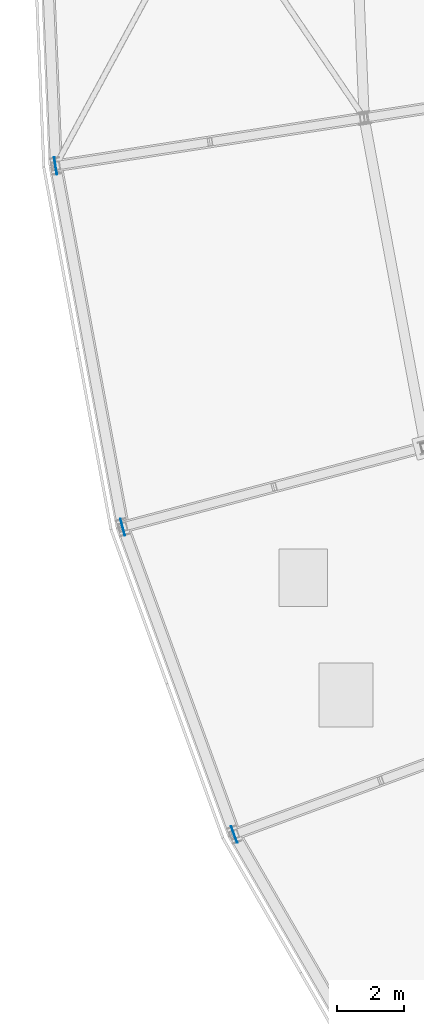
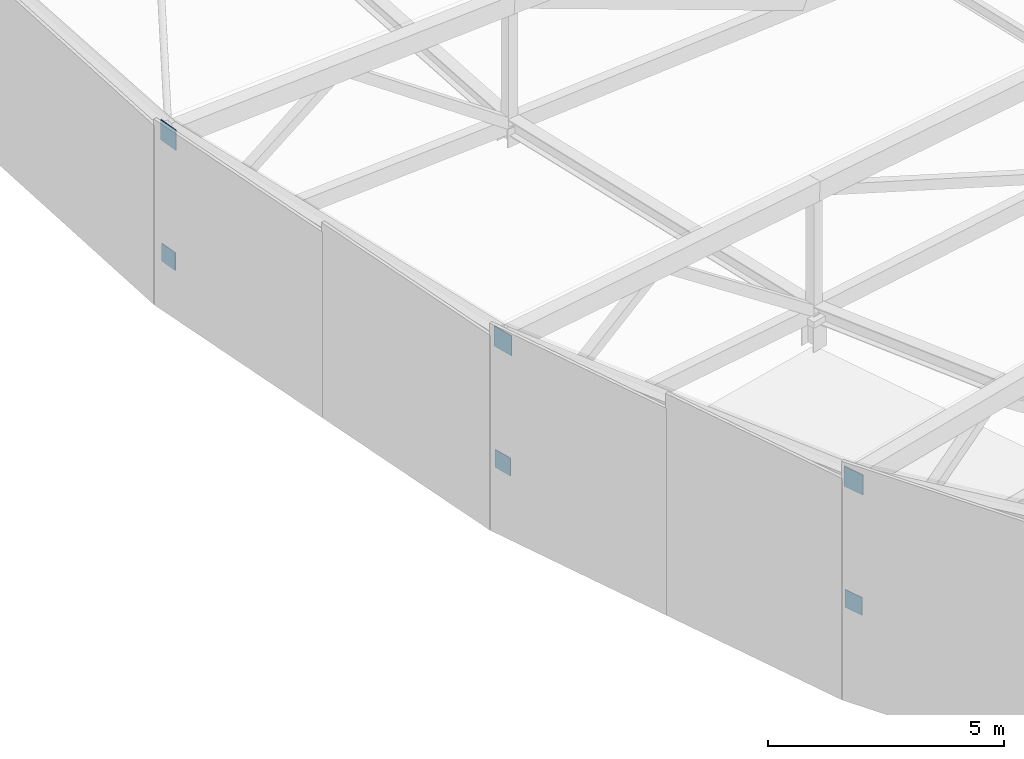
# One storey, part 109 of 143: 6 plates.
"""IFC4 building model written with IfcOpenShell, lengths in metres."""

from ifc_helpers import new_model, si_unit, direction, frame, origin, origin_2d, place, context, subcontext, project, spatial, rectangle, extrude, material, layer, layer_set, type_object, element, save


model = new_model("IFC4")

# Units and contexts
model_context = context("Model", 3, precision=1e-05, world=origin(), true_north=direction((0.0, 1.0)))
body_context = subcontext(model_context, "Body", "Model", "MODEL_VIEW")
ifc_project = project(units=[si_unit("LENGTHUNIT", "METRE"), si_unit("AREAUNIT", "SQUARE_METRE"), si_unit("VOLUMEUNIT", "CUBIC_METRE"), si_unit("PLANEANGLEUNIT", "RADIAN"), si_unit("MASSUNIT", "GRAM", prefix="KILO")], contexts=[model_context])

# Site, building, storey
site_placement = place(None, origin())
site = spatial("IfcSite", under=ifc_project, at=site_placement, CompositionType="ELEMENT")
building_placement = place(site_placement, origin())
building = spatial("IfcBuilding", under=site, at=building_placement, Name="Mphavela Belvedere Stadium", CompositionType="ELEMENT")
storey_placement = place(building_placement, frame((0.0, 0.0, 28.800048828125)))
storey = spatial("IfcBuildingStorey", under=building, at=storey_placement, Name="RF", CompositionType="ELEMENT", Elevation=28.800048828125)

# Plates
ifc_material_1 = material(Name="Steel S355", Category="steel")
ifc_layer_1 = layer(ifc_material_1, 0.01806640625)
ifc_layer_set_1 = layer_set([ifc_layer_1], Name="Steel S355")
plate_type_1 = type_object("IfcPlateType", Name="PLT-CAP-TRUSS-BC", PredefinedType="USERDEFINED", material=ifc_layer_set_1)
for number, where, z_axis, x_axis, name in (
    (1, (12.844482421875, 71.155029296875, 0.844482421875), (0.0, 0.0, 1.0), (-0.98817491911, -0.153330783737, 0.0), "Roof truss RT-26 hollow-end cap plate out_bc"),
    (2, (14.83544921875, 60.4375, 1.323974609375), (0.0, 0.0, 1.0), (-0.966600102017, -0.256289373133, 0.0), "Roof truss RT-27 hollow-end cap plate out_bc"),
    (3, (18.143798828125, 51.317626953125, 2.0869140625), (0.0, 0.0, 1.0), (-0.938372433776, -0.34562577382, 0.0), "Roof truss RT-28 hollow-end cap plate out_bc"),
):
    element("IfcPlate", number, at=place(storey_placement, frame(where, z_axis=z_axis, x_axis=x_axis)), inside=storey, type_object=plate_type_1, Name=name, ObjectType="GUSSET_PLATE", PredefinedType="USERDEFINED", context=body_context, shape_type="SweptSolid", body=[
        extrude(rectangle(XDim=0.01806640625, YDim=0.4599609375, at=origin_2d()), origin(), (0.0, 0.0, 1.0), 0.4599609375),
    ])
ifc_material_2 = material(Name="Steel S355", Category="steel")
ifc_layer_2 = layer(ifc_material_2, 0.02001953125)
ifc_layer_set_2 = layer_set([ifc_layer_2], Name="Steel S355")
plate_type_2 = type_object("IfcPlateType", Name="PLT-CAP-TRUSS-TC", PredefinedType="USERDEFINED", material=ifc_layer_set_2)
for number, where, z_axis, x_axis, name in (
    (4, (12.844482421875, 71.155029296875, 3.964599609375), (0.0, 0.0, 1.0), (-0.98817491911, -0.153330783737, 0.0), "Roof truss RT-26 hollow-end cap plate out_tc"),
    (5, (14.83544921875, 60.4375, 4.444091796875), (0.0, 0.0, 1.0), (-0.966600102017, -0.256289373133, 0.0), "Roof truss RT-27 hollow-end cap plate out_tc"),
    (6, (18.143798828125, 51.317626953125, 5.206787109375), (0.0, 0.0, 1.0), (-0.938372433776, -0.34562577382, 0.0), "Roof truss RT-28 hollow-end cap plate out_tc"),
):
    element("IfcPlate", number, at=place(storey_placement, frame(where, z_axis=z_axis, x_axis=x_axis)), inside=storey, type_object=plate_type_2, Name=name, ObjectType="GUSSET_PLATE", PredefinedType="USERDEFINED", context=body_context, shape_type="SweptSolid", body=[
        extrude(rectangle(XDim=0.02001953125, YDim=0.52001953125, at=origin_2d()), origin(), (0.0, 0.0, 1.0), 0.52001953125),
    ])

save(model, "model.ifc")
